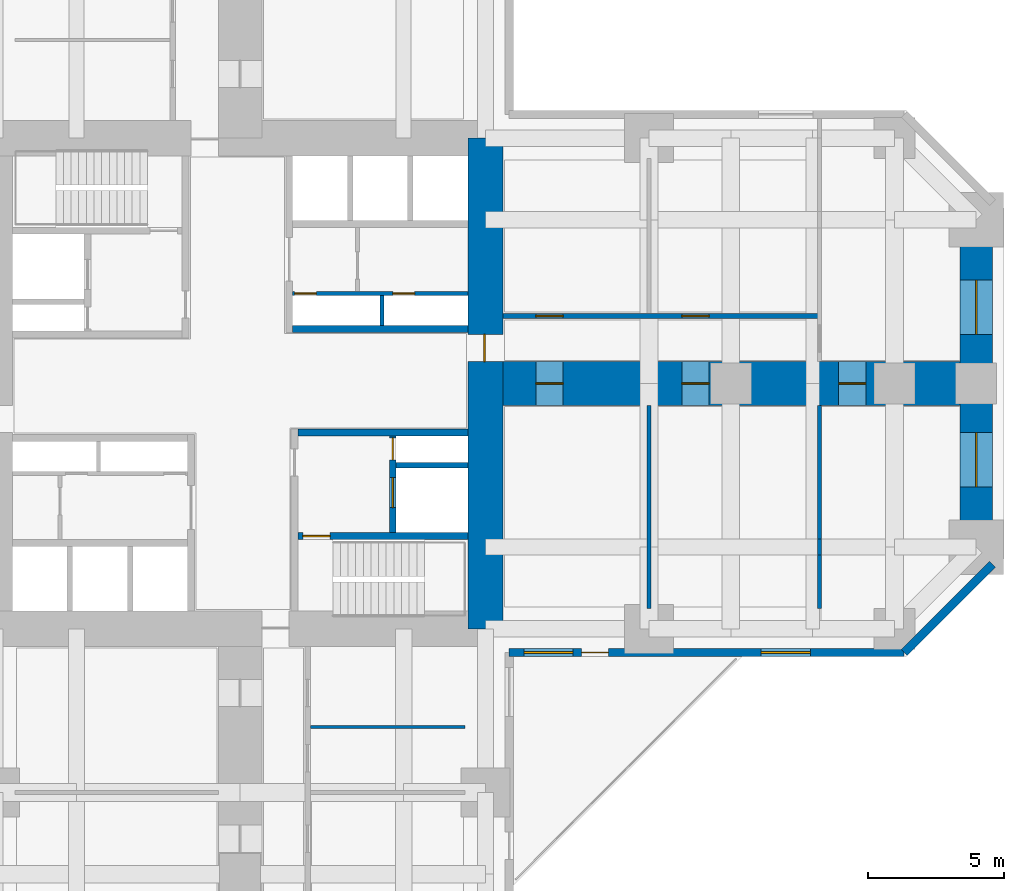
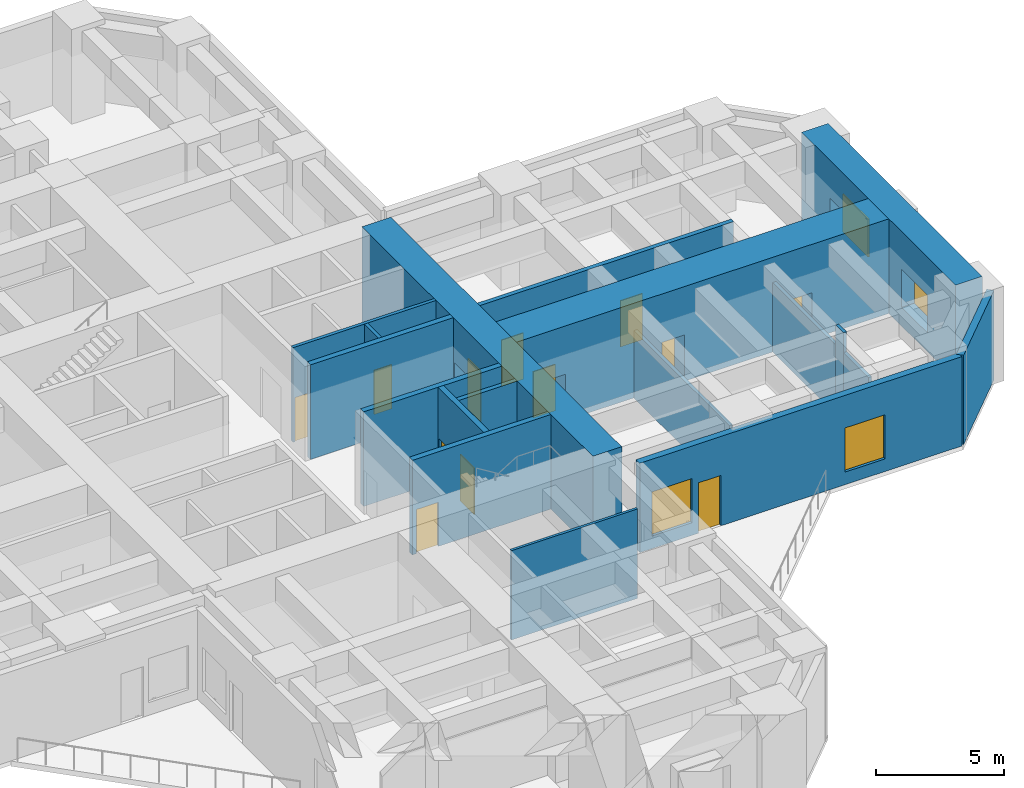
# One storey, part 5 of 8: 18 walls, 12 doors, 4 windows, 16 openings.
"""IFC4 building model written with IfcOpenShell, lengths in metres."""

from ifc_helpers import new_model, si_unit, direction, frame, frame_2d, origin, place, context, subcontext, project, spatial, rectangle, hollow_rectangle, extrude, material, layer, layer_set, constituent, constituent_set, type_object, element, fill, save


model = new_model("IFC4")

# Units and contexts
model_context = context("Model", 3, precision=1e-05, world=origin(), true_north=direction((0.0, 1.0)))
body_context = subcontext(model_context, "Body", "Model", "MODEL_VIEW")
ifc_project = project(units=[si_unit("LENGTHUNIT", "METRE"), si_unit("AREAUNIT", "SQUARE_METRE"), si_unit("VOLUMEUNIT", "CUBIC_METRE"), si_unit("PLANEANGLEUNIT", "RADIAN"), si_unit("MASSUNIT", "GRAM", prefix="KILO")], contexts=[model_context])

# Site, building, storey
site_placement = place(None, origin())
site = spatial("IfcSite", under=ifc_project, at=site_placement, CompositionType="ELEMENT")
building_placement = place(site_placement, origin())
building = spatial("IfcBuilding", under=site, at=building_placement, Name="Torre Cruceta", CompositionType="ELEMENT")
storey_placement = place(building_placement, frame((0.0, 0.0, 14.0)))
storey = spatial("IfcBuildingStorey", under=building, at=storey_placement, Name="L03", CompositionType="ELEMENT", Elevation=14.0)

# Walls
ifc_material_1 = material(Name="Concrete G60 (fck 60 MPa)", Category="concrete")
ifc_layer_1 = layer(ifc_material_1, 0.25)
ifc_layer_set_1 = layer_set([ifc_layer_1], Name="Concrete G60 (fck 60 MPa)")
wall_type_1 = type_object("IfcWallType", Name="CORE INNER WALL 250 G60", PredefinedType="SHEAR", material=ifc_layer_set_1)
wall_1_placement = place(storey_placement, frame((1.925048828125, 2.0, 0.0), z_axis=(0.0, 0.0, 1.0), x_axis=(1.0, 0.0, 0.0)))
element("IfcWall", 1, at=wall_1_placement, inside=storey, type_object=wall_type_1, Name="CW4 L03 NE-CV", PredefinedType="SHEAR", context=body_context, shape_type="SweptSolid", body=[
    extrude(rectangle(XDim=6.425048828125, YDim=0.25, at=frame_2d((3.21240234375, 0.0))), origin(), (0.0, 0.0, 1.0), 4.5),
])
wall_2_placement = place(storey_placement, frame((2.125, -1.800048828125, 0.0), z_axis=(0.0, 0.0, 1.0), x_axis=(1.0, 0.0, 0.0)))
element("IfcWall", 2, at=wall_2_placement, inside=storey, type_object=wall_type_1, Name="CW4 L03 SE-CV", PredefinedType="SHEAR", context=body_context, shape_type="SweptSolid", body=[
    extrude(rectangle(XDim=6.22509765625, YDim=0.25, at=frame_2d((3.112548828125, 0.0))), origin(), (0.0, 0.0, 1.0), 4.5),
])

# Wall, opening, door
wall_3_placement = place(storey_placement, frame((2.125, -5.60009765625, 0.0), z_axis=(0.0, 0.0, 1.0), x_axis=(1.0, 0.0, 0.0)))
wall_3 = element("IfcWall", 3, at=wall_3_placement, inside=storey, type_object=wall_type_1, Name="CW4 L03 SE-SV", PredefinedType="SHEAR", context=body_context, shape_type="SweptSolid", body=[
    extrude(rectangle(XDim=6.22509765625, YDim=0.25, at=frame_2d((3.112548828125, 0.0))), origin(), (0.0, 0.0, 1.0), 4.5),
])
opening_1_placement = place(wall_3_placement, frame((0.175048828125, 0.0, 0.0)))
opening_1 = element("IfcOpeningElement", 4, at=opening_1_placement, cuts=wall_3, Name="Opening D3", PredefinedType="OPENING", context=body_context, shape_type="SweptSolid", body=[
    extrude(rectangle(XDim=1.0, YDim=2.10009765625, at=frame_2d((0.5, 1.050048828125))), frame((0.0, 0.135009765625, 0.0), z_axis=(0.0, -1.0, 0.0), x_axis=(1.0, 0.0, 0.0)), (0.0, 0.0, 1.0), 0.27001953125),
])
ifc_material_2 = material(Name="Steel DX51D", Category="steel")
ifc_constituent_1 = constituent(ifc_material_2, Name="Leaf and frame")
ifc_material_3 = material(Name="Polyester powder coating", Category="paint")
ifc_constituent_2 = constituent(ifc_material_3, Name="Finish")
ifc_constituent_set_1 = constituent_set(constituents=[ifc_constituent_1, ifc_constituent_2], Name="Steel fire door")
door_type_1 = type_object("IfcDoorType", Name="FIRE DOOR 1000X2100", OperationType="SINGLE_SWING_LEFT", PredefinedType="DOOR", material=ifc_constituent_set_1)
door_1_placement = place(opening_1_placement, frame((1.0, 0.0, 0.0), z_axis=(0.0, 0.0, 1.0), x_axis=(-1.0, 0.0, 0.0)))
door_1 = element("IfcDoor", 5, at=door_1_placement, inside=storey, type_object=door_type_1, Name="D3 L03 SE-STAIR", OperationType="SINGLE_SWING_RIGHT", OverallHeight=2.10009765625, OverallWidth=1.0, PredefinedType="DOOR", context=body_context, shape_type="SweptSolid", body=[
    extrude(rectangle(XDim=1.0, YDim=2.10009765625, at=frame_2d((0.5, 1.050048828125))), frame((0.0, 0.025146484375, 0.0), z_axis=(0.0, -1.0, 0.0), x_axis=(1.0, 0.0, 0.0)), (0.0, 0.0, 1.0), 0.050048828125),
])
fill(opening_1, door_1)

# Wall, openings, doors
wall_4_placement = place(storey_placement, frame((5.60009765625, -1.925048828125, 0.0), z_axis=(0.0, 0.0, 1.0), x_axis=(0.0, -1.0, 0.0)))
wall_4 = element("IfcWall", 6, at=wall_4_placement, inside=storey, type_object=wall_type_1, Name="CW4 L03 SE-FU", PredefinedType="SHEAR", context=body_context, shape_type="SweptSolid", body=[
    extrude(rectangle(XDim=3.550048828125, YDim=0.25, at=frame_2d((1.77490234375, 0.0))), origin(), (0.0, 0.0, 1.0), 4.5),
])
opening_2_placement = place(wall_4_placement, frame((1.52490234375, 0.0, 0.0)))
opening_2 = element("IfcOpeningElement", 7, at=opening_2_placement, cuts=wall_4, Name="Opening LD1", PredefinedType="OPENING", context=body_context, shape_type="SweptSolid", body=[
    extrude(rectangle(XDim=1.10009765625, YDim=2.199951171875, at=frame_2d((0.550048828125, 1.10009765625))), frame((0.0, 0.135009765625, 0.0), z_axis=(0.0, -1.0, 0.0), x_axis=(1.0, 0.0, 0.0)), (0.0, 0.0, 1.0), 0.27001953125),
])
opening_3_placement = place(wall_4_placement, frame((0.074951171875, 0.0, 0.0)))
opening_3 = element("IfcOpeningElement", 8, at=opening_3_placement, cuts=wall_4, Name="Opening D5", PredefinedType="OPENING", context=body_context, shape_type="SweptSolid", body=[
    extrude(rectangle(XDim=0.800048828125, YDim=2.10009765625, at=frame_2d((0.39990234375, 1.050048828125))), frame((0.0, 0.135009765625, 0.0), z_axis=(0.0, -1.0, 0.0), x_axis=(1.0, 0.0, 0.0)), (0.0, 0.0, 1.0), 0.27001953125),
])
ifc_material_4 = material(Name="Stainless steel 1.4401", Category="steel")
door_type_2 = type_object("IfcDoorType", Name="LIFT LANDING DOOR 1100X2200", OperationType="DOUBLE_DOOR_SLIDING", PredefinedType="DOOR", material=ifc_material_4)
door_2_placement = place(opening_2_placement, origin())
door_2 = element("IfcDoor", 9, at=door_2_placement, inside=storey, type_object=door_type_2, Name="Lift landing door FL2", OperationType="DOUBLE_DOOR_SLIDING", OverallHeight=2.199951171875, OverallWidth=1.10009765625, PredefinedType="DOOR", context=body_context, shape_type="SweptSolid", body=[
    extrude(rectangle(XDim=1.10009765625, YDim=2.199951171875, at=frame_2d((0.550048828125, 1.10009765625))), frame((0.0, 0.02490234375, 0.0), z_axis=(0.0, -1.0, 0.0), x_axis=(1.0, 0.0, 0.0)), (0.0, 0.0, 1.0), 0.050048828125),
])
fill(opening_2, door_2)
ifc_material_5 = material(Name="Steel DX51D", Category="steel")
ifc_constituent_3 = constituent(ifc_material_5, Name="Leaf and frame")
ifc_material_6 = material(Name="Polyester powder coating", Category="paint")
ifc_constituent_4 = constituent(ifc_material_6, Name="Finish")
ifc_constituent_set_2 = constituent_set(constituents=[ifc_constituent_3, ifc_constituent_4], Name="Steel fire door")
door_type_3 = type_object("IfcDoorType", Name="RISER ACCESS DOOR 800X2100", OperationType="SINGLE_SWING_LEFT", PredefinedType="DOOR", material=ifc_constituent_set_2)
door_3_placement = place(opening_3_placement, origin())
door_3 = element("IfcDoor", 10, at=door_3_placement, inside=storey, type_object=door_type_3, Name="D5 L03 SE-RISER", OperationType="SINGLE_SWING_LEFT", OverallHeight=2.10009765625, OverallWidth=0.800048828125, PredefinedType="DOOR", context=body_context, shape_type="SweptSolid", body=[
    extrude(rectangle(XDim=0.800048828125, YDim=2.10009765625, at=frame_2d((0.39990234375, 1.050048828125))), frame((0.0, 0.02490234375, 0.0), z_axis=(0.0, -1.0, 0.0), x_axis=(1.0, 0.0, 0.0)), (0.0, 0.0, 1.0), 0.050048828125),
])
fill(opening_3, door_3)

# Wall, opening, door
ifc_material_7 = material(Name="Concrete G60 (fck 60 MPa)", Category="concrete")
ifc_layer_2 = layer(ifc_material_7, 1.300048828125)
ifc_layer_set_2 = layer_set([ifc_layer_2], Name="Concrete G60 (fck 60 MPa)")
wall_type_2 = type_object("IfcWallType", Name="CORE WALL 1300 G60", PredefinedType="SHEAR", material=ifc_layer_set_2)
wall_5_placement = place(storey_placement, frame((9.0, -9.0, 0.0), z_axis=(0.0, 0.0, 1.0), x_axis=(0.0, 1.0, 0.0)))
wall_5 = element("IfcWall", 11, at=wall_5_placement, inside=storey, type_object=wall_type_2, Name="CW1 L03 CW-E", PredefinedType="SHEAR", context=body_context, shape_type="SweptSolid", body=[
    extrude(rectangle(XDim=18.0, YDim=1.300048828125, at=frame_2d((9.0, 0.0))), origin(), (0.0, 0.0, 1.0), 4.5),
])
opening_4_placement = place(wall_5_placement, frame((9.800048828125, 0.0, 0.0)))
opening_4 = element("IfcOpeningElement", 12, at=opening_4_placement, cuts=wall_5, Name="Opening D4", PredefinedType="OPENING", context=body_context, shape_type="SweptSolid", body=[
    extrude(rectangle(XDim=1.0, YDim=2.39990234375, at=frame_2d((0.5, 1.199951171875))), frame((0.0, 0.659912109375, 0.0), z_axis=(0.0, -1.0, 0.0), x_axis=(1.0, 0.0, 0.0)), (0.0, 0.0, 1.0), 1.320068359375),
])
ifc_material_8 = material(Name="Steel DX51D", Category="steel")
ifc_constituent_5 = constituent(ifc_material_8, Name="Leaf and frame")
ifc_material_9 = material(Name="Polyester powder coating", Category="paint")
ifc_constituent_6 = constituent(ifc_material_9, Name="Finish")
ifc_constituent_set_3 = constituent_set(constituents=[ifc_constituent_5, ifc_constituent_6], Name="Steel fire door")
door_type_4 = type_object("IfcDoorType", Name="CORE ARM DOOR 1000X2400", OperationType="SINGLE_SWING_RIGHT", PredefinedType="DOOR", material=ifc_constituent_set_3)
door_4_placement = place(opening_4_placement, origin())
door_4 = element("IfcDoor", 13, at=door_4_placement, inside=storey, type_object=door_type_4, Name="D4 L03 CW-E", OperationType="SINGLE_SWING_RIGHT", OverallHeight=2.39990234375, OverallWidth=1.0, PredefinedType="DOOR", context=body_context, shape_type="SweptSolid", body=[
    extrude(rectangle(XDim=1.0, YDim=2.39990234375, at=frame_2d((0.5, 1.199951171875))), frame((0.0, 0.05517578125, 0.0), z_axis=(0.0, -1.0, 0.0), x_axis=(1.0, 0.0, 0.0)), (0.0, 0.0, 1.0), 0.050048828125),
])
fill(opening_4, door_4)

# Wall, openings, doors
ifc_material_10 = material(Name="Concrete G25 (fck 25 MPa)", Category="concrete")
ifc_layer_3 = layer(ifc_material_10, 0.199951171875)
ifc_layer_set_3 = layer_set([ifc_layer_3], Name="Concrete G25 (fck 25 MPa)")
wall_type_3 = type_object("IfcWallType", Name="CORRIDOR WALL 200", PredefinedType="SOLIDWALL", material=ifc_layer_set_3)
wall_6_placement = place(storey_placement, frame((9.64990234375, 2.47509765625, 0.0), z_axis=(0.0, 0.0, 1.0), x_axis=(1.0, 0.0, 0.0)))
wall_6 = element("IfcWall", 14, at=wall_6_placement, inside=storey, type_object=wall_type_3, Name="PT3 L03-E-CL", PredefinedType="SOLIDWALL", context=body_context, shape_type="SweptSolid", body=[
    extrude(rectangle(XDim=11.60009765625, YDim=0.199951171875, at=frame_2d((5.800048828125, 0.0))), origin(), (0.0, 0.0, 1.0), 4.25),
])
opening_5_placement = place(wall_6_placement, frame((1.199951171875, 0.0, 0.0)))
opening_5 = element("IfcOpeningElement", 15, at=opening_5_placement, cuts=wall_6, Name="Opening D14", PredefinedType="OPENING", context=body_context, shape_type="SweptSolid", body=[
    extrude(rectangle(XDim=1.0, YDim=2.199951171875, at=frame_2d((0.5, 1.10009765625))), frame((0.0, 0.10986328125, 0.0), z_axis=(0.0, -1.0, 0.0), x_axis=(1.0, 0.0, 0.0)), (0.0, 0.0, 1.0), 0.219970703125),
])
opening_6_placement = place(wall_6_placement, frame((6.550048828125, 0.0, 0.0)))
opening_6 = element("IfcOpeningElement", 16, at=opening_6_placement, cuts=wall_6, Name="Opening D14", PredefinedType="OPENING", context=body_context, shape_type="SweptSolid", body=[
    extrude(rectangle(XDim=1.0, YDim=2.199951171875, at=frame_2d((0.5, 1.10009765625))), frame((0.0, 0.10986328125, 0.0), z_axis=(0.0, -1.0, 0.0), x_axis=(1.0, 0.0, 0.0)), (0.0, 0.0, 1.0), 0.219970703125),
])
ifc_material_11 = material(Name="Steel DX51D", Category="steel")
ifc_constituent_7 = constituent(ifc_material_11, Name="Leaf and frame")
ifc_material_12 = material(Name="Polyester powder coating", Category="paint")
ifc_constituent_8 = constituent(ifc_material_12, Name="Finish")
ifc_material_13 = material(Name="Fire-resisting glass", Category="glass")
ifc_constituent_9 = constituent(ifc_material_13, Name="Vision panel")
ifc_constituent_set_4 = constituent_set(constituents=[ifc_constituent_7, ifc_constituent_8, ifc_constituent_9], Name="Steel fire door with vision panel")
door_type_5 = type_object("IfcDoorType", Name="FIRE DOOR VISION PANEL 1000X2200", OperationType="SINGLE_SWING_RIGHT", PredefinedType="DOOR", material=ifc_constituent_set_4)
door_5_placement = place(opening_5_placement, origin())
door_5 = element("IfcDoor", 17, at=door_5_placement, inside=storey, type_object=door_type_5, Name="D14 L03-E-CL-D1", OperationType="SINGLE_SWING_LEFT", OverallHeight=2.199951171875, OverallWidth=1.0, PredefinedType="DOOR", context=body_context, shape_type="SweptSolid", body=[
    extrude(rectangle(XDim=1.0, YDim=2.199951171875, at=frame_2d((0.5, 1.10009765625))), frame((0.0, 0.02490234375, 0.0), z_axis=(0.0, -1.0, 0.0), x_axis=(1.0, 0.0, 0.0)), (0.0, 0.0, 1.0), 0.050048828125),
])
fill(opening_5, door_5)
door_6_placement = place(opening_6_placement, origin())
door_6 = element("IfcDoor", 18, at=door_6_placement, inside=storey, type_object=door_type_5, Name="D14 L03-E-CL-D2", OperationType="SINGLE_SWING_LEFT", OverallHeight=2.199951171875, OverallWidth=1.0, PredefinedType="DOOR", context=body_context, shape_type="SweptSolid", body=[
    extrude(rectangle(XDim=1.0, YDim=2.199951171875, at=frame_2d((0.5, 1.10009765625))), frame((0.0, 0.02490234375, 0.0), z_axis=(0.0, -1.0, 0.0), x_axis=(1.0, 0.0, 0.0)), (0.0, 0.0, 1.0), 0.050048828125),
])
fill(opening_6, door_6)

# Wall, openings, door, windows
ifc_material_14 = material(Name="Concrete G30 (fck 30 MPa)", Category="concrete")
ifc_layer_4 = layer(ifc_material_14, 0.300048828125)
ifc_layer_set_4 = layer_set([ifc_layer_4], Name="Concrete G30 (fck 30 MPa)")
wall_type_4 = type_object("IfcWallType", Name="EXPOSED CONCRETE FACADE WALL 300", PredefinedType="SOLIDWALL", material=ifc_layer_set_4)
wall_7_placement = place(storey_placement, frame((9.8701171875, -9.8701171875, 0.0), z_axis=(0.0, 0.0, 1.0), x_axis=(1.0, 0.0, 0.0)))
wall_7 = element("IfcWall", 19, at=wall_7_placement, inside=storey, type_object=wall_type_4, Name="EW1 facade wall L03 E side 00", PredefinedType="SOLIDWALL", context=body_context, shape_type="SweptSolid", body=[
    extrude(rectangle(XDim=14.490234375, YDim=0.300048828125, at=frame_2d((7.2451171875, 0.0))), origin(), (0.0, 0.0, 1.0), 4.25),
])
opening_7_placement = place(wall_7_placement, frame((2.64990234375, 0.0, 0.0)))
opening_7 = element("IfcOpeningElement", 20, at=opening_7_placement, cuts=wall_7, Name="Opening D11", PredefinedType="OPENING", context=body_context, shape_type="SweptSolid", body=[
    extrude(rectangle(XDim=1.0, YDim=2.39990234375, at=frame_2d((0.5, 1.199951171875))), frame((0.0, 0.159912109375, 0.0), z_axis=(0.0, -1.0, 0.0), x_axis=(1.0, 0.0, 0.0)), (0.0, 0.0, 1.0), 0.320068359375),
])
opening_8_placement = place(wall_7_placement, frame((0.549072265625, 0.0, 0.60009765625)))
opening_8 = element("IfcOpeningElement", 21, at=opening_8_placement, cuts=wall_7, Name="Opening WN4", PredefinedType="OPENING", context=body_context, shape_type="SweptSolid", body=[
    extrude(rectangle(XDim=1.800048828125, YDim=2.10009765625, at=frame_2d((0.89990234375, 1.050048828125))), frame((0.0, 0.159912109375, 0.0), z_axis=(0.0, -1.0, 0.0), x_axis=(1.0, 0.0, 0.0)), (0.0, 0.0, 1.0), 0.320068359375),
])
opening_9_placement = place(wall_7_placement, frame((9.2431640625, 0.0, 0.60009765625)))
opening_9 = element("IfcOpeningElement", 22, at=opening_9_placement, cuts=wall_7, Name="Opening WN4", PredefinedType="OPENING", context=body_context, shape_type="SweptSolid", body=[
    extrude(rectangle(XDim=1.800048828125, YDim=2.10009765625, at=frame_2d((0.89990234375, 1.050048828125))), frame((0.0, 0.159912109375, 0.0), z_axis=(0.0, -1.0, 0.0), x_axis=(1.0, 0.0, 0.0)), (0.0, 0.0, 1.0), 0.320068359375),
])
ifc_material_15 = material(Name="Aluminium door frame", Category="aluminium")
ifc_constituent_10 = constituent(ifc_material_15, Name="Frame")
ifc_material_16 = material(Name="Laminated safety glass", Category="glass")
ifc_constituent_11 = constituent(ifc_material_16, Name="Glazing")
ifc_constituent_set_5 = constituent_set(constituents=[ifc_constituent_10, ifc_constituent_11], Name="Aluminium glazed door")
door_type_6 = type_object("IfcDoorType", Name="TERRACE DOOR 1000X2400", OperationType="SINGLE_SWING_LEFT", PredefinedType="DOOR", material=ifc_constituent_set_5)
door_7_placement = place(opening_7_placement, origin())
door_7 = element("IfcDoor", 23, at=door_7_placement, inside=storey, type_object=door_type_6, Name="D11 terrace door L03 E", OperationType="SINGLE_SWING_LEFT", OverallHeight=2.39990234375, OverallWidth=1.0, PredefinedType="DOOR", context=body_context, shape_type="SweptSolid", body=[
    extrude(hollow_rectangle(XDim=1.0, YDim=2.39990234375, WallThickness=0.06005859375, at=frame_2d((0.5, 1.199951171875))), frame((0.0, 0.02490234375, 0.0), z_axis=(0.0, -1.0, 0.0), x_axis=(1.0, 0.0, 0.0)), (0.0, 0.0, 1.0), 0.050048828125),
    extrude(rectangle(XDim=0.87890625, YDim=2.27880859375, at=frame_2d((0.5, 1.199951171875))), frame((0.0, 0.02490234375, 0.0), z_axis=(0.0, -1.0, 0.0), x_axis=(1.0, 0.0, 0.0)), (0.0, 0.0, 1.0), 0.050048828125),
])
fill(opening_7, door_7)
ifc_material_17 = material(Name="Aluminium window frame", Category="aluminium")
ifc_constituent_12 = constituent(ifc_material_17, Name="Frame")
ifc_material_18 = material(Name="Laminated insulating glass unit, low-iron clear", Category="glass")
ifc_constituent_13 = constituent(ifc_material_18, Name="Glazing")
ifc_constituent_set_6 = constituent_set(constituents=[ifc_constituent_12, ifc_constituent_13], Name="Aluminium window")
window_type_1 = type_object("IfcWindowType", Name="TERRACE FRONT WINDOW 1800X2100", PartitioningType="SINGLE_PANEL", PredefinedType="WINDOW", material=ifc_constituent_set_6)
window_1_placement = place(opening_8_placement, origin())
window_1 = element("IfcWindow", 24, at=window_1_placement, inside=storey, type_object=window_type_1, Name="WN4 L03 E 1", OverallHeight=2.10009765625, OverallWidth=1.800048828125, PartitioningType="SINGLE_PANEL", PredefinedType="WINDOW", context=body_context, shape_type="SweptSolid", body=[
    extrude(hollow_rectangle(XDim=1.800048828125, YDim=2.10009765625, WallThickness=0.06005859375, at=frame_2d((0.89990234375, 1.050048828125))), frame((0.0, 0.030029296875, 0.0), z_axis=(0.0, -1.0, 0.0), x_axis=(1.0, 0.0, 0.0)), (0.0, 0.0, 1.0), 0.06005859375),
    extrude(rectangle(XDim=1.678955078125, YDim=1.97900390625, at=frame_2d((0.89990234375, 1.050048828125))), frame((0.0, 0.030029296875, 0.0), z_axis=(0.0, -1.0, 0.0), x_axis=(1.0, 0.0, 0.0)), (0.0, 0.0, 1.0), 0.06005859375),
])
fill(opening_8, window_1)
window_2_placement = place(opening_9_placement, origin())
window_2 = element("IfcWindow", 25, at=window_2_placement, inside=storey, type_object=window_type_1, Name="WN4 L03 E 4", OverallHeight=2.10009765625, OverallWidth=1.800048828125, PartitioningType="SINGLE_PANEL", PredefinedType="WINDOW", context=body_context, shape_type="SweptSolid", body=[
    extrude(hollow_rectangle(XDim=1.800048828125, YDim=2.10009765625, WallThickness=0.06005859375, at=frame_2d((0.89990234375, 1.050048828125))), frame((0.0, 0.030029296875, 0.0), z_axis=(0.0, -1.0, 0.0), x_axis=(1.0, 0.0, 0.0)), (0.0, 0.0, 1.0), 0.06005859375),
    extrude(rectangle(XDim=1.678955078125, YDim=1.97900390625, at=frame_2d((0.89990234375, 1.050048828125))), frame((0.0, 0.030029296875, 0.0), z_axis=(0.0, -1.0, 0.0), x_axis=(1.0, 0.0, 0.0)), (0.0, 0.0, 1.0), 0.06005859375),
])
fill(opening_9, window_2)

# Walls
wall_8_placement = place(storey_placement, frame((24.3603515625, -9.8701171875, 0.0), z_axis=(0.0, 0.0, 1.0), x_axis=(0.707106781187, 0.707106781187, 0.0)))
element("IfcWall", 26, at=wall_8_placement, inside=storey, type_object=wall_type_4, Name="EW1 facade wall L03 E chamfer 01", PredefinedType="SOLIDWALL", context=body_context, shape_type="SweptSolid", body=[
    extrude(rectangle(XDim=4.581787109375, YDim=0.300048828125, at=frame_2d((2.291015625, 0.0))), origin(), (0.0, 0.0, 1.0), 4.25),
])
ifc_material_19 = material(Name="Concrete G35 (fck 35 MPa)", Category="concrete")
ifc_layer_5 = layer(ifc_material_19, 0.199951171875)
ifc_layer_set_5 = layer_set([ifc_layer_5], Name="Concrete G35 (fck 35 MPa)")
wall_type_5 = type_object("IfcWallType", Name="LIFT SHAFT WALL 200", PredefinedType="PARTITIONING", material=ifc_layer_set_5)
wall_9_placement = place(storey_placement, frame((5.72509765625, -3.0, 0.0), z_axis=(0.0, 0.0, 1.0), x_axis=(1.0, 0.0, 0.0)))
element("IfcWall", 27, at=wall_9_placement, inside=storey, type_object=wall_type_5, Name="SW1 L03 SE-FR", PredefinedType="PARTITIONING", context=body_context, shape_type="SweptSolid", body=[
    extrude(rectangle(XDim=2.625, YDim=0.199951171875, at=frame_2d((1.3125, 0.0))), origin(), (0.0, 0.0, 1.0), 4.5),
])

# Wall, openings, windows
ifc_material_20 = material(Name="Concrete G60 (fck 60 MPa)", Category="concrete")
ifc_layer_6 = layer(ifc_material_20, 1.199951171875)
ifc_layer_set_6 = layer_set([ifc_layer_6], Name="Concrete G60 (fck 60 MPa)")
wall_type_6 = type_object("IfcWallType", Name="NOSE WALL 1200 G60", PredefinedType="SHEAR", material=ifc_layer_set_6)
wall_10_placement = place(storey_placement, frame((27.0, -6.0, 0.0), z_axis=(0.0, 0.0, 1.0), x_axis=(0.0, 1.0, 0.0)))
wall_10 = element("IfcWall", 28, at=wall_10_placement, inside=storey, type_object=wall_type_6, Name="NW1 nose wall L03 E", PredefinedType="SHEAR", context=body_context, shape_type="SweptSolid", body=[
    extrude(rectangle(XDim=12.0, YDim=1.199951171875, at=frame_2d((6.0, 0.0))), origin(), (0.0, 0.0, 1.0), 4.5),
])
opening_10_placement = place(wall_10_placement, frame((2.199951171875, 0.0, 0.89990234375)))
opening_10 = element("IfcOpeningElement", 29, at=opening_10_placement, cuts=wall_10, Name="Opening WN1", PredefinedType="OPENING", context=body_context, shape_type="SweptSolid", body=[
    extrude(rectangle(XDim=2.0, YDim=1.800048828125, at=frame_2d((1.0, 0.89990234375))), frame((0.0, 0.60986328125, 0.0), z_axis=(0.0, -1.0, 0.0), x_axis=(1.0, 0.0, 0.0)), (0.0, 0.0, 1.0), 1.219970703125),
])
opening_11_placement = place(wall_10_placement, frame((7.800048828125, 0.0, 0.89990234375)))
opening_11 = element("IfcOpeningElement", 30, at=opening_11_placement, cuts=wall_10, Name="Opening WN1", PredefinedType="OPENING", context=body_context, shape_type="SweptSolid", body=[
    extrude(rectangle(XDim=2.0, YDim=1.800048828125, at=frame_2d((1.0, 0.89990234375))), frame((0.0, 0.60986328125, 0.0), z_axis=(0.0, -1.0, 0.0), x_axis=(1.0, 0.0, 0.0)), (0.0, 0.0, 1.0), 1.219970703125),
])
ifc_material_21 = material(Name="Aluminium window frame", Category="aluminium")
ifc_constituent_14 = constituent(ifc_material_21, Name="Frame")
ifc_material_22 = material(Name="Laminated insulating glass unit, low-iron clear", Category="glass")
ifc_constituent_15 = constituent(ifc_material_22, Name="Glazing")
ifc_constituent_set_7 = constituent_set(constituents=[ifc_constituent_14, ifc_constituent_15], Name="Aluminium window")
window_type_2 = type_object("IfcWindowType", Name="SCHOOL WINDOW 2000X1800", PartitioningType="SINGLE_PANEL", PredefinedType="WINDOW", material=ifc_constituent_set_7)
window_3_placement = place(opening_10_placement, origin())
window_3 = element("IfcWindow", 31, at=window_3_placement, inside=storey, type_object=window_type_2, Name="WN1 L03 E 1", OverallHeight=1.800048828125, OverallWidth=2.0, PartitioningType="SINGLE_PANEL", PredefinedType="WINDOW", context=body_context, shape_type="SweptSolid", body=[
    extrude(hollow_rectangle(XDim=2.0, YDim=1.800048828125, WallThickness=0.06005859375, at=frame_2d((1.0, 0.89990234375))), frame((0.0, 0.030029296875, 0.0), z_axis=(0.0, -1.0, 0.0), x_axis=(1.0, 0.0, 0.0)), (0.0, 0.0, 1.0), 0.06005859375),
    extrude(rectangle(XDim=1.87890625, YDim=1.678955078125, at=frame_2d((1.0, 0.89990234375))), frame((0.0, 0.030029296875, 0.0), z_axis=(0.0, -1.0, 0.0), x_axis=(1.0, 0.0, 0.0)), (0.0, 0.0, 1.0), 0.06005859375),
])
fill(opening_10, window_3)
window_4_placement = place(opening_11_placement, origin())
window_4 = element("IfcWindow", 32, at=window_4_placement, inside=storey, type_object=window_type_2, Name="WN1 L03 E 2", OverallHeight=1.800048828125, OverallWidth=2.0, PartitioningType="SINGLE_PANEL", PredefinedType="WINDOW", context=body_context, shape_type="SweptSolid", body=[
    extrude(hollow_rectangle(XDim=2.0, YDim=1.800048828125, WallThickness=0.06005859375, at=frame_2d((1.0, 0.89990234375))), frame((0.0, 0.030029296875, 0.0), z_axis=(0.0, -1.0, 0.0), x_axis=(1.0, 0.0, 0.0)), (0.0, 0.0, 1.0), 0.06005859375),
    extrude(rectangle(XDim=1.87890625, YDim=1.678955078125, at=frame_2d((1.0, 0.89990234375))), frame((0.0, 0.030029296875, 0.0), z_axis=(0.0, -1.0, 0.0), x_axis=(1.0, 0.0, 0.0)), (0.0, 0.0, 1.0), 0.06005859375),
])
fill(opening_11, window_4)

# Walls
ifc_material_23 = material(Name="Plasterboard on steel studs", Category="steel")
ifc_layer_7 = layer(ifc_material_23, 0.14990234375)
ifc_layer_set_7 = layer_set([ifc_layer_7], Name="Plasterboard on steel studs")
wall_type_7 = type_object("IfcWallType", Name="PARTITION 150", PredefinedType="PARTITIONING", material=ifc_layer_set_7)
wall_11_placement = place(storey_placement, frame((15.0, -8.25, 0.0), z_axis=(0.0, 0.0, 1.0), x_axis=(0.0, 1.0, 0.0)))
element("IfcWall", 33, at=wall_11_placement, inside=storey, type_object=wall_type_7, Name="PT1 L03-E-P1R", PredefinedType="PARTITIONING", context=body_context, shape_type="SweptSolid", body=[
    extrude(rectangle(XDim=7.449951171875, YDim=0.14990234375, at=frame_2d((3.72509765625, 0.0))), origin(), (0.0, 0.0, 1.0), 3.199951171875),
])
wall_12_placement = place(storey_placement, frame((21.25, -8.25, 0.0), z_axis=(0.0, 0.0, 1.0), x_axis=(0.0, 1.0, 0.0)))
element("IfcWall", 34, at=wall_12_placement, inside=storey, type_object=wall_type_7, Name="PT1 L03-E-ENDa", PredefinedType="PARTITIONING", context=body_context, shape_type="SweptSolid", body=[
    extrude(rectangle(XDim=1.949951171875, YDim=0.14990234375, at=frame_2d((0.97509765625, 0.0))), origin(), (0.0, 0.0, 1.0), 3.300048828125),
])
wall_13_placement = place(storey_placement, frame((21.25, -6.300048828125, 0.0), z_axis=(0.0, 0.0, 1.0), x_axis=(0.0, 1.0, 0.0)))
element("IfcWall", 35, at=wall_13_placement, inside=storey, type_object=wall_type_7, Name="PT1 L03-E-ENDa 2", PredefinedType="PARTITIONING", context=body_context, shape_type="SweptSolid", body=[
    extrude(rectangle(XDim=0.60009765625, YDim=0.14990234375, at=frame_2d((0.300048828125, 0.0))), origin(), (0.0, 0.0, 1.0), 4.25),
])
wall_14_placement = place(storey_placement, frame((21.25, -5.699951171875, 0.0), z_axis=(0.0, 0.0, 1.0), x_axis=(0.0, 1.0, 0.0)))
element("IfcWall", 36, at=wall_14_placement, inside=storey, type_object=wall_type_7, Name="PT1 L03-E-ENDa 3", PredefinedType="PARTITIONING", context=body_context, shape_type="SweptSolid", body=[
    extrude(rectangle(XDim=4.89990234375, YDim=0.14990234375, at=frame_2d((2.449951171875, 0.0))), origin(), (0.0, 0.0, 1.0), 3.300048828125),
])

# Wall, openings, doors
ifc_material_24 = material(Name="Concrete block masonry", Category="masonry")
ifc_layer_8 = layer(ifc_material_24, 0.14990234375)
ifc_layer_set_8 = layer_set([ifc_layer_8], Name="Concrete block masonry")
wall_type_8 = type_object("IfcWallType", Name="RISER WALL 150", PredefinedType="PARTITIONING", material=ifc_layer_set_8)
wall_15_placement = place(storey_placement, frame((1.925048828125, 3.300048828125, 0.0), z_axis=(0.0, 0.0, 1.0), x_axis=(1.0, 0.0, 0.0)))
wall_15 = element("IfcWall", 37, at=wall_15_placement, inside=storey, type_object=wall_type_8, Name="SW7 L03 NE-RV", PredefinedType="PARTITIONING", context=body_context, shape_type="SweptSolid", body=[
    extrude(rectangle(XDim=6.425048828125, YDim=0.14990234375, at=frame_2d((3.21240234375, 0.0))), origin(), (0.0, 0.0, 1.0), 4.5),
])
opening_12_placement = place(wall_15_placement, frame((0.074951171875, 0.0, 0.0)))
opening_12 = element("IfcOpeningElement", 38, at=opening_12_placement, cuts=wall_15, Name="Opening D5", PredefinedType="OPENING", context=body_context, shape_type="SweptSolid", body=[
    extrude(rectangle(XDim=0.800048828125, YDim=2.10009765625, at=frame_2d((0.39990234375, 1.050048828125))), frame((0.0, 0.0849609375, 0.0), z_axis=(0.0, -1.0, 0.0), x_axis=(1.0, 0.0, 0.0)), (0.0, 0.0, 1.0), 0.169921875),
])
opening_13_placement = place(wall_15_placement, frame((3.675048828125, 0.0, 0.0)))
opening_13 = element("IfcOpeningElement", 39, at=opening_13_placement, cuts=wall_15, Name="Opening D5", PredefinedType="OPENING", context=body_context, shape_type="SweptSolid", body=[
    extrude(rectangle(XDim=0.800048828125, YDim=2.10009765625, at=frame_2d((0.39990234375, 1.050048828125))), frame((0.0, 0.0849609375, 0.0), z_axis=(0.0, -1.0, 0.0), x_axis=(1.0, 0.0, 0.0)), (0.0, 0.0, 1.0), 0.169921875),
])
door_8_placement = place(opening_12_placement, frame((0.800048828125, 0.0, 0.0), z_axis=(0.0, 0.0, 1.0), x_axis=(-1.0, 0.0, 0.0)))
door_8 = element("IfcDoor", 40, at=door_8_placement, inside=storey, type_object=door_type_3, Name="D5 L03 NE-RISER1", OperationType="SINGLE_SWING_RIGHT", OverallHeight=2.10009765625, OverallWidth=0.800048828125, PredefinedType="DOOR", context=body_context, shape_type="SweptSolid", body=[
    extrude(rectangle(XDim=0.800048828125, YDim=2.10009765625, at=frame_2d((0.400146484375, 1.050048828125))), frame((0.0, 0.025146484375, 0.0), z_axis=(0.0, -1.0, 0.0), x_axis=(1.0, 0.0, 0.0)), (0.0, 0.0, 1.0), 0.050048828125),
])
fill(opening_12, door_8)
door_9_placement = place(opening_13_placement, frame((0.800048828125, 0.0, 0.0), z_axis=(0.0, 0.0, 1.0), x_axis=(-1.0, 0.0, 0.0)))
door_9 = element("IfcDoor", 41, at=door_9_placement, inside=storey, type_object=door_type_3, Name="D5 L03 NE-RISER2", OperationType="SINGLE_SWING_RIGHT", OverallHeight=2.10009765625, OverallWidth=0.800048828125, PredefinedType="DOOR", context=body_context, shape_type="SweptSolid", body=[
    extrude(rectangle(XDim=0.800048828125, YDim=2.10009765625, at=frame_2d((0.400146484375, 1.050048828125))), frame((0.0, 0.025146484375, 0.0), z_axis=(0.0, -1.0, 0.0), x_axis=(1.0, 0.0, 0.0)), (0.0, 0.0, 1.0), 0.050048828125),
])
fill(opening_13, door_9)

# Wall
wall_16_placement = place(storey_placement, frame((5.199951171875, 2.125, 0.0), z_axis=(0.0, 0.0, 1.0), x_axis=(0.0, 1.0, 0.0)))
element("IfcWall", 42, at=wall_16_placement, inside=storey, type_object=wall_type_8, Name="SW7 L03 NE-RU", PredefinedType="PARTITIONING", context=body_context, shape_type="SweptSolid", body=[
    extrude(rectangle(XDim=1.10009765625, YDim=0.14990234375, at=frame_2d((0.550048828125, 0.0))), origin(), (0.0, 0.0, 1.0), 4.5),
])

# Wall, openings, doors
ifc_material_25 = material(Name="Concrete G60 (fck 60 MPa)", Category="concrete")
ifc_layer_9 = layer(ifc_material_25, 1.60009765625)
ifc_layer_set_9 = layer_set([ifc_layer_9], Name="Concrete G60 (fck 60 MPa)")
wall_type_9 = type_object("IfcWallType", Name="SPINE WALL 1600 G60", PredefinedType="SHEAR", material=ifc_layer_set_9)
wall_17_placement = place(storey_placement, frame((9.0, 0.0, 0.0), z_axis=(0.0, 0.0, 1.0), x_axis=(1.0, 0.0, 0.0)))
wall_17 = element("IfcWall", 43, at=wall_17_placement, inside=storey, type_object=wall_type_9, Name="SW2 spine wall L03 E", PredefinedType="SHEAR", context=body_context, shape_type="SweptSolid", body=[
    extrude(rectangle(XDim=18.0, YDim=1.60009765625, at=frame_2d((9.0, 0.0))), origin(), (0.0, 0.0, 1.0), 4.5),
])
opening_14_placement = place(wall_17_placement, frame((1.85009765625, 0.0, 0.0)))
opening_14 = element("IfcOpeningElement", 44, at=opening_14_placement, cuts=wall_17, Name="Opening D14", PredefinedType="OPENING", context=body_context, shape_type="SweptSolid", body=[
    extrude(rectangle(XDim=1.0, YDim=2.199951171875, at=frame_2d((0.5, 1.10009765625))), frame((0.0, 0.81005859375, 0.0), z_axis=(0.0, -1.0, 0.0), x_axis=(1.0, 0.0, 0.0)), (0.0, 0.0, 1.0), 1.6201171875),
])
opening_15_placement = place(wall_17_placement, frame((7.199951171875, 0.0, 0.0)))
opening_15 = element("IfcOpeningElement", 45, at=opening_15_placement, cuts=wall_17, Name="Opening D14", PredefinedType="OPENING", context=body_context, shape_type="SweptSolid", body=[
    extrude(rectangle(XDim=1.0, YDim=2.199951171875, at=frame_2d((0.5, 1.10009765625))), frame((0.0, 0.81005859375, 0.0), z_axis=(0.0, -1.0, 0.0), x_axis=(1.0, 0.0, 0.0)), (0.0, 0.0, 1.0), 1.6201171875),
])
opening_16_placement = place(wall_17_placement, frame((12.949951171875, 0.0, 0.0)))
opening_16 = element("IfcOpeningElement", 46, at=opening_16_placement, cuts=wall_17, Name="Opening D14", PredefinedType="OPENING", context=body_context, shape_type="SweptSolid", body=[
    extrude(rectangle(XDim=1.0, YDim=2.199951171875, at=frame_2d((0.5, 1.10009765625))), frame((0.0, 0.81005859375, 0.0), z_axis=(0.0, -1.0, 0.0), x_axis=(1.0, 0.0, 0.0)), (0.0, 0.0, 1.0), 1.6201171875),
])
door_10_placement = place(opening_14_placement, frame((1.0, 0.0, 0.0), z_axis=(0.0, 0.0, 1.0), x_axis=(-1.0, 0.0, 0.0)))
door_10 = element("IfcDoor", 47, at=door_10_placement, inside=storey, type_object=door_type_5, Name="D14 L03-E-SP1", OperationType="SINGLE_SWING_RIGHT", OverallHeight=2.199951171875, OverallWidth=1.0, PredefinedType="DOOR", context=body_context, shape_type="SweptSolid", body=[
    extrude(rectangle(XDim=1.0, YDim=2.199951171875, at=frame_2d((0.5, 1.10009765625))), frame((0.0, 0.025146484375, 0.0), z_axis=(0.0, -1.0, 0.0), x_axis=(1.0, 0.0, 0.0)), (0.0, 0.0, 1.0), 0.050048828125),
])
fill(opening_14, door_10)
door_11_placement = place(opening_15_placement, frame((1.0, 0.0, 0.0), z_axis=(0.0, 0.0, 1.0), x_axis=(-1.0, 0.0, 0.0)))
door_11 = element("IfcDoor", 48, at=door_11_placement, inside=storey, type_object=door_type_5, Name="D14 L03-E-SP2", OperationType="SINGLE_SWING_RIGHT", OverallHeight=2.199951171875, OverallWidth=1.0, PredefinedType="DOOR", context=body_context, shape_type="SweptSolid", body=[
    extrude(rectangle(XDim=1.0, YDim=2.199951171875, at=frame_2d((0.5, 1.10009765625))), frame((0.0, 0.025146484375, 0.0), z_axis=(0.0, -1.0, 0.0), x_axis=(1.0, 0.0, 0.0)), (0.0, 0.0, 1.0), 0.050048828125),
])
fill(opening_15, door_11)
door_12_placement = place(opening_16_placement, origin())
door_12 = element("IfcDoor", 49, at=door_12_placement, inside=storey, type_object=door_type_5, Name="D14 L03-E-SP3", OperationType="SINGLE_SWING_RIGHT", OverallHeight=2.199951171875, OverallWidth=1.0, PredefinedType="DOOR", context=body_context, shape_type="SweptSolid", body=[
    extrude(rectangle(XDim=1.0, YDim=2.199951171875, at=frame_2d((0.5, 1.10009765625))), frame((0.0, 0.02490234375, 0.0), z_axis=(0.0, -1.0, 0.0), x_axis=(1.0, 0.0, 0.0)), (0.0, 0.0, 1.0), 0.050048828125),
])
fill(opening_16, door_12)

# Wall
ifc_material_26 = material(Name="Plasterboard on steel studs", Category="steel")
ifc_layer_10 = layer(ifc_material_26, 0.1201171875)
ifc_layer_set_10 = layer_set([ifc_layer_10], Name="Plasterboard on steel studs")
wall_type_10 = type_object("IfcWallType", Name="WC PARTITION 120", PredefinedType="PLUMBINGWALL", material=ifc_layer_set_10)
wall_18_placement = place(storey_placement, frame((2.574951171875, -12.60009765625, 0.0), z_axis=(0.0, 0.0, 1.0), x_axis=(1.0, 0.0, 0.0)))
element("IfcWall", 50, at=wall_18_placement, inside=storey, type_object=wall_type_10, Name="PT5 L03-S-U1LX", PredefinedType="PLUMBINGWALL", context=body_context, shape_type="SweptSolid", body=[
    extrude(rectangle(XDim=5.675048828125, YDim=0.1201171875, at=frame_2d((2.83740234375, 0.0))), origin(), (0.0, 0.0, 1.0), 4.25),
])

save(model, "model.ifc")
